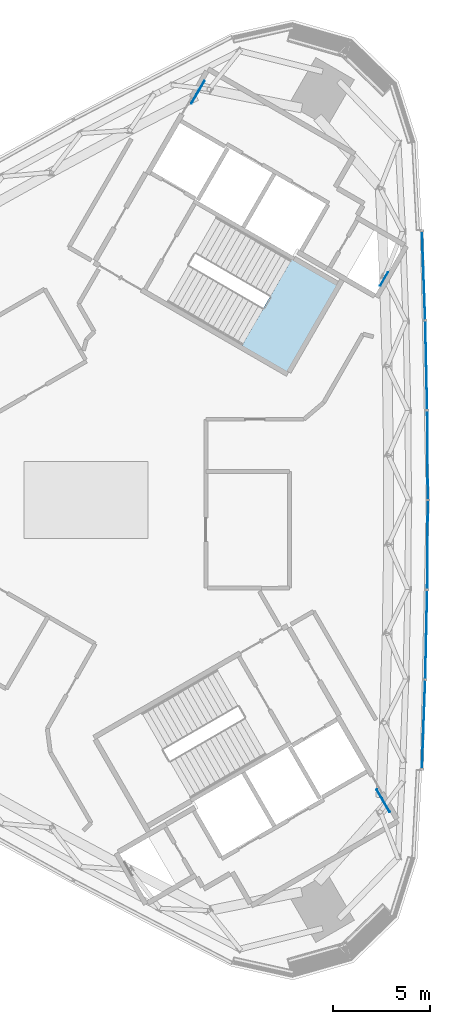
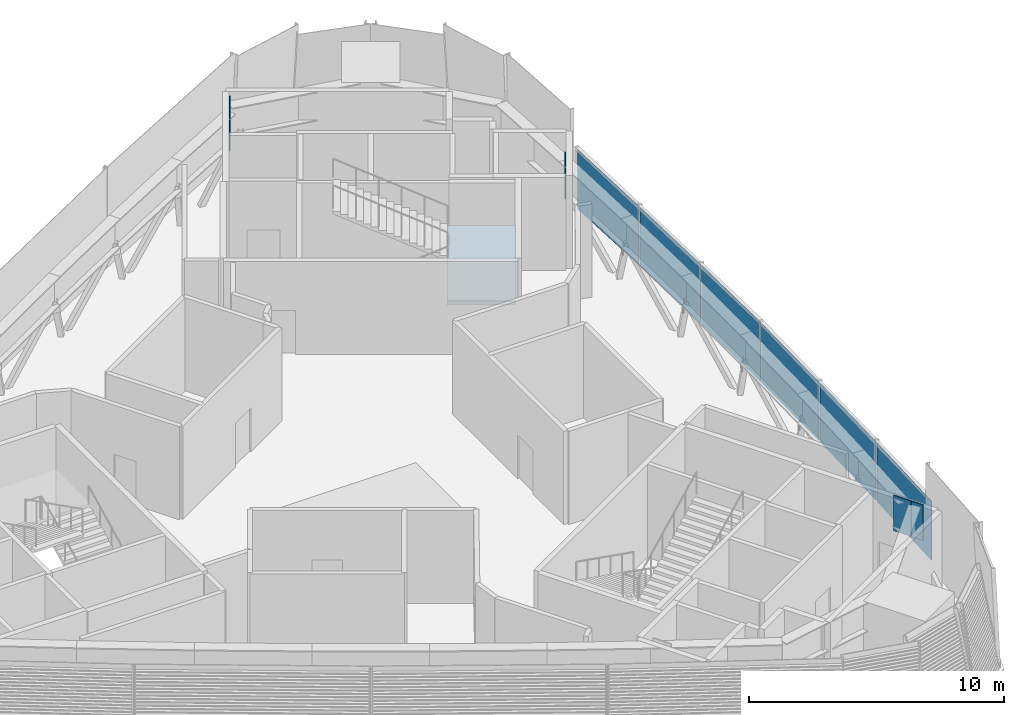
# One storey, part 6 of 18: 11 plates, 1 slab, 2 elements without a shape of their own.
"""IFC4 building model written with IfcOpenShell, lengths in metres."""

from ifc_helpers import new_model, si_unit, direction, frame, origin, origin_2d, place, context, subcontext, project, spatial, polyline, rectangle, outline, extrude, material, layer, layer_set, type_object, element, aggregate, save


model = new_model("IFC4")

# Units and contexts
model_context = context("Model", 3, precision=1e-05, world=origin(), true_north=direction((0.0, 1.0)))
body_context = subcontext(model_context, "Body", "Model", "MODEL_VIEW")
ifc_project = project(units=[si_unit("LENGTHUNIT", "METRE"), si_unit("AREAUNIT", "SQUARE_METRE"), si_unit("VOLUMEUNIT", "CUBIC_METRE"), si_unit("PLANEANGLEUNIT", "RADIAN"), si_unit("MASSUNIT", "GRAM", prefix="KILO")], contexts=[model_context])

# Site, building, storey
site_placement = place(None, origin())
site = spatial("IfcSite", under=ifc_project, at=site_placement, CompositionType="ELEMENT")
building_placement = place(site_placement, origin())
building = spatial("IfcBuilding", under=site, at=building_placement, Name="Tamra Quay Hotel Tower", CompositionType="ELEMENT")
storey_placement = place(building_placement, frame((0.0, 0.0, 257.39990234375)))
storey = spatial("IfcBuildingStorey", under=building, at=storey_placement, Name="L65", CompositionType="ELEMENT", Elevation=257.39990234375)

# Plates
ifc_material_1 = material(Name="Structural steel IS 2062 E350", Category="steel")
ifc_layer_1 = layer(ifc_material_1, 0.0400390625)
ifc_layer_set_1 = layer_set([ifc_layer_1], Name="CAST IN PLATE 40")
plate_type_1 = type_object("IfcPlateType", Name="CAST IN PLATE 40", PredefinedType="SHEET", material=ifc_layer_set_1)
for number, where, z_axis, x_axis, name in (
    (1, (5.645263671875, 20.837890625, 2.89990234375), (0.0, 0.0, 1.0), (0.866025403784, -0.5, 0.0), "Cast-in plate EP-TC5-5"),
    (2, (5.916015625, 21.306884765625, 2.89990234375), (0.0, 0.0, 1.0), (0.866025403784, -0.5, 0.0), "Cast-in plate EP-TC5-6"),
    (3, (15.2236328125, -15.30810546875, 2.89990234375), (0.0, 0.0, 1.0), (-0.866025403784, -0.5, 0.0), "Cast-in plate EP-TC5-7"),
    (4, (15.40478515625, 11.422119140625, 2.89990234375), (0.0, 0.0, 1.0), (-0.866025403784, 0.5, 0.0), "Cast-in plate EP-TC5-8"),
    (5, (15.494384765625, -15.77685546875, 2.89990234375), (0.0, 0.0, 1.0), (-0.866025403784, -0.5, 0.0), "Cast-in plate EP-TC5-9"),
):
    element("IfcPlate", number, at=place(storey_placement, frame(where, z_axis=z_axis, x_axis=x_axis)), inside=storey, type_object=plate_type_1, Name=name, PredefinedType="SHEET", context=body_context, shape_type="SweptSolid", body=[
        extrude(rectangle(XDim=0.0400390625, YDim=0.800048828125, at=origin_2d()), origin(), (0.0, 0.0, 1.0), 1.699951171875),
    ])

# Stair, slab
ifc_material_2 = material(Name="Exit stair 2200 32 risers 150.0 going 299")
stair_type = type_object("IfcStairType", Name="Exit stair 2200 32 risers 150.0 going 299", PredefinedType="HALF_TURN_STAIR", material=ifc_material_2)
stair_placement = place(storey_placement, origin())
stair = element("IfcStair", 6, at=stair_placement, inside=storey, type_object=stair_type, Name="L65 Exit stair ST1", PredefinedType="HALF_TURN_STAIR")
ifc_material_3 = material(Name="Concrete M70", Category="concrete")
ifc_layer_2 = layer(ifc_material_3, 0.175048828125)
ifc_layer_set_2 = layer_set([ifc_layer_2], Name="Concrete M70 stair landing 180")
slab_type = type_object("IfcSlabType", Name="Concrete M70 stair landing 180", PredefinedType="LANDING", material=ifc_layer_set_2)
slab_placement = place(storey_placement, frame((0.0, 0.0, 2.22509765625)))
slab = element("IfcSlab", 7, at=slab_placement, type_object=slab_type, Name="ST1 landing 1", PredefinedType="LANDING", context=body_context, shape_type="SweptSolid", body=[
    extrude(outline(polyline([(8.051025390625, 7.97509765625), (10.385009765625, 6.627685546875), (12.964599609375, 11.095458984375), (10.630615234375, 12.443115234375), (8.051025390625, 7.97509765625)])), origin(), (0.0, 0.0, 1.0), 0.175048828125),
])
aggregate(stair, [slab])

# Curtain wall, plates
ifc_material_4 = material(Name="Aluminium 6063 anodised dark grey", Category="aluminium")
curtain_wall_type = type_object("IfcCurtainWallType", Name="CW1 CURTAIN WALL", PredefinedType="NOTDEFINED", material=ifc_material_4)
curtain_wall_placement = place(storey_placement, origin())
curtain_wall = element("IfcCurtainWall", 8, at=curtain_wall_placement, inside=storey, type_object=curtain_wall_type, Name="CW1 east face L65", PredefinedType="NOTDEFINED")
ifc_material_5 = material(Name="Terracotta cladding panel on aluminium frame", Category="masonry")
ifc_layer_3 = layer(ifc_material_5, 0.028076171875)
ifc_layer_set_3 = layer_set([ifc_layer_3], Name="SOLID PANEL CW1 Z5")
plate_type_2 = type_object("IfcPlateType", Name="SOLID PANEL CW1 Z5", PredefinedType="CURTAIN_PANEL", material=ifc_layer_set_3)
plate_1_placement = place(storey_placement, frame((17.447509765625, -11.59716796875, 0.0), z_axis=(0.0, 0.0, 1.0), x_axis=(0.036745119705, 0.999324670054, 0.0)))
plate_1 = element("IfcPlate", 9, at=plate_1_placement, type_object=plate_type_2, Name="CW1 solid panel L65.E.1", PredefinedType="CURTAIN_PANEL", context=body_context, shape_type="SweptSolid", body=[
    extrude(rectangle(XDim=4.5400390625, YDim=0.028076171875, at=origin_2d()), origin(), (0.0, 0.0, 1.0), 2.81005859375),
])
plate_2_placement = place(storey_placement, frame((17.583984375, -6.959228515625, 0.0), z_axis=(0.0, 0.0, 1.0), x_axis=(0.02206300461, 0.999756582288, 0.0)))
plate_2 = element("IfcPlate", 10, at=plate_2_placement, type_object=plate_type_2, Name="CW1 solid panel L65.E.2", PredefinedType="CURTAIN_PANEL", context=body_context, shape_type="SweptSolid", body=[
    extrude(rectangle(XDim=4.539794921875, YDim=0.028076171875, at=origin_2d()), origin(), (0.0, 0.0, 1.0), 2.81005859375),
])
plate_3_placement = place(storey_placement, frame((17.65234375, -2.320068359375, 0.0), z_axis=(0.0, 0.0, 1.0), x_axis=(0.007361595633, 0.999972903088, 0.0)))
plate_3 = element("IfcPlate", 11, at=plate_3_placement, type_object=plate_type_2, Name="CW1 solid panel L65.E.3", PredefinedType="CURTAIN_PANEL", context=body_context, shape_type="SweptSolid", body=[
    extrude(rectangle(XDim=4.5400390625, YDim=0.028076171875, at=origin_2d()), origin(), (0.0, 0.0, 1.0), 2.81005859375),
])
plate_4_placement = place(storey_placement, frame((17.65234375, 2.320068359375, 0.0), z_axis=(0.0, 0.0, 1.0), x_axis=(-0.007361595633, 0.999972903088, 0.0)))
plate_4 = element("IfcPlate", 12, at=plate_4_placement, type_object=plate_type_2, Name="CW1 solid panel L65.E.4", PredefinedType="CURTAIN_PANEL", context=body_context, shape_type="SweptSolid", body=[
    extrude(rectangle(XDim=4.5400390625, YDim=0.028076171875, at=origin_2d()), origin(), (0.0, 0.0, 1.0), 2.81005859375),
])
plate_5_placement = place(storey_placement, frame((17.583984375, 6.959228515625, 0.0), z_axis=(0.0, 0.0, 1.0), x_axis=(-0.02206300461, 0.999756582288, 0.0)))
plate_5 = element("IfcPlate", 13, at=plate_5_placement, type_object=plate_type_2, Name="CW1 solid panel L65.E.5", PredefinedType="CURTAIN_PANEL", context=body_context, shape_type="SweptSolid", body=[
    extrude(rectangle(XDim=4.539794921875, YDim=0.028076171875, at=origin_2d()), origin(), (0.0, 0.0, 1.0), 2.81005859375),
])
plate_6_placement = place(storey_placement, frame((17.447509765625, 11.59716796875, 0.0), z_axis=(0.0, 0.0, 1.0), x_axis=(-0.036745119705, 0.999324670054, 0.0)))
plate_6 = element("IfcPlate", 14, at=plate_6_placement, type_object=plate_type_2, Name="CW1 solid panel L65.E.6", PredefinedType="CURTAIN_PANEL", context=body_context, shape_type="SweptSolid", body=[
    extrude(rectangle(XDim=4.5400390625, YDim=0.028076171875, at=origin_2d()), origin(), (0.0, 0.0, 1.0), 2.81005859375),
])
aggregate(curtain_wall, [plate_1, plate_2, plate_3, plate_4, plate_5, plate_6])

save(model, "model.ifc")
